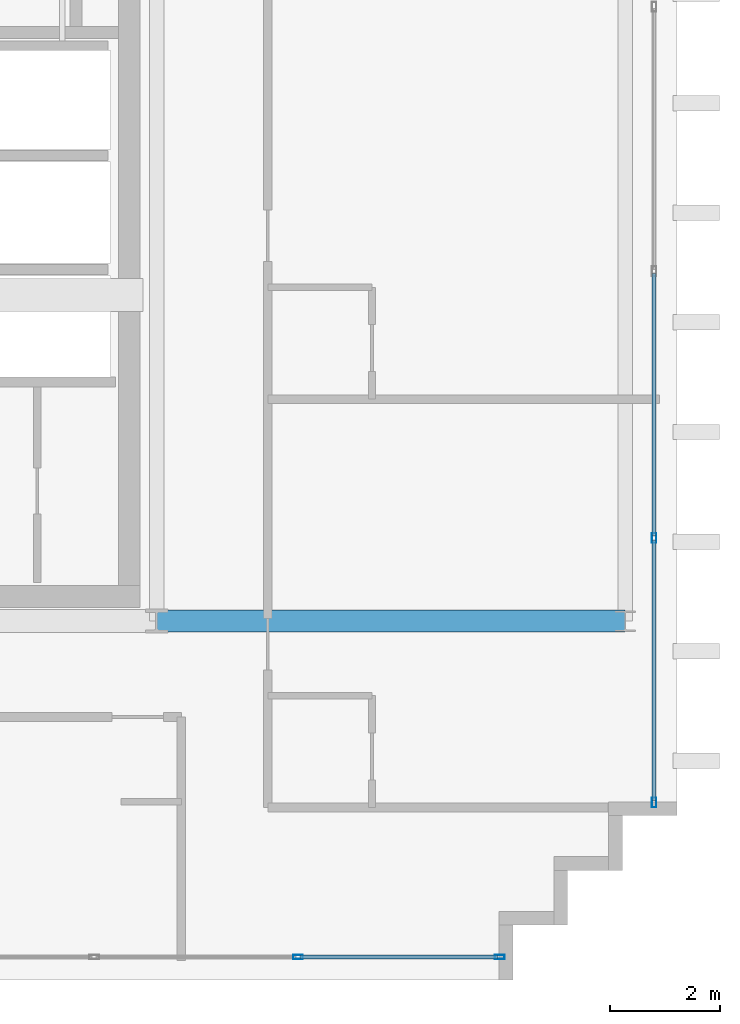
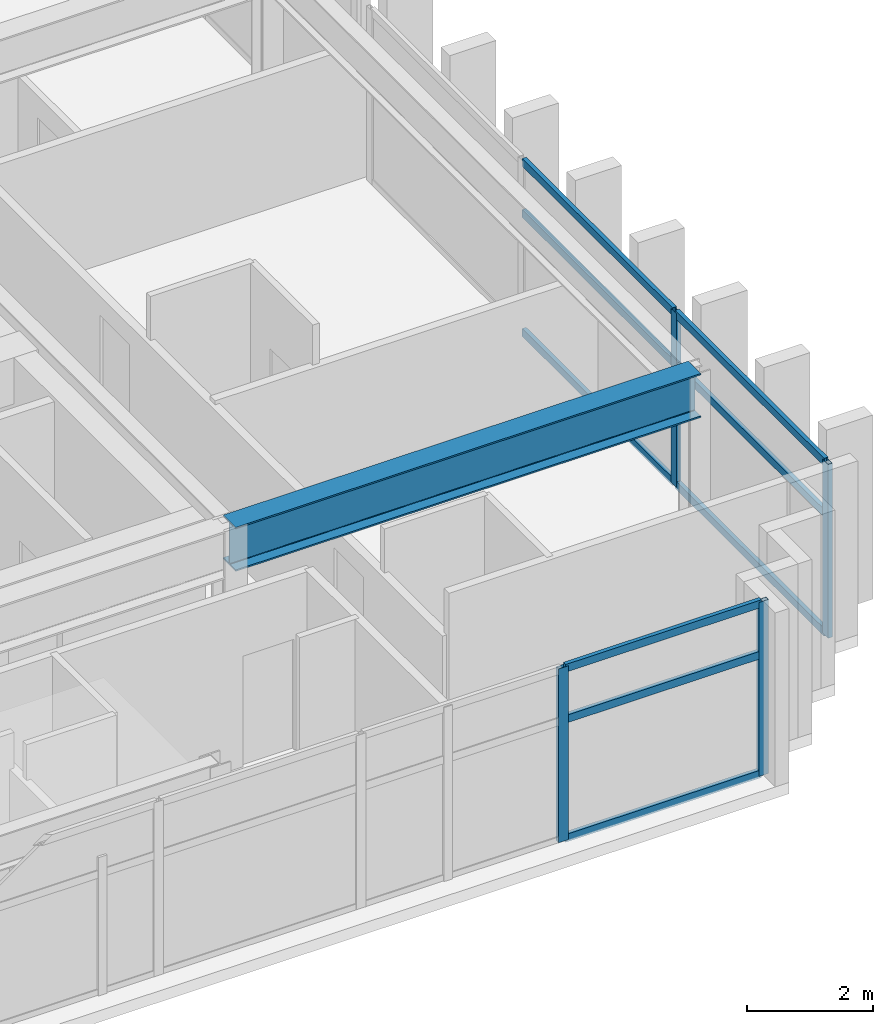
# One storey, part 4 of 15: 13 members, 1 beam, 2 elements without a shape of their own.
"""IFC4 building model written with IfcOpenShell, lengths in metres."""

from ifc_helpers import new_model, si_unit, direction, frame, origin, origin_2d, place, context, subcontext, project, spatial, hollow_rectangle, i_section, extrude, source, transform, mapped, material, layer, layer_set, material_profile, profile_set, type_object, element, aggregate, save


model = new_model("IFC4")

# Units and contexts
model_context = context("Model", 3, precision=1e-05, world=origin(), true_north=direction((0.0, 1.0)))
body_context = subcontext(model_context, "Body", "Model", "MODEL_VIEW")
ifc_project = project(units=[si_unit("LENGTHUNIT", "METRE"), si_unit("AREAUNIT", "SQUARE_METRE"), si_unit("VOLUMEUNIT", "CUBIC_METRE"), si_unit("PLANEANGLEUNIT", "RADIAN"), si_unit("MASSUNIT", "GRAM", prefix="KILO")], contexts=[model_context])

# Site, building, storey
site_placement = place(None, origin())
site = spatial("IfcSite", under=ifc_project, at=site_placement, CompositionType="ELEMENT")
building_placement = place(site_placement, origin())
building = spatial("IfcBuilding", under=site, at=building_placement, Name="Ocotamira Hotel", CompositionType="ELEMENT")
storey_placement = place(building_placement, frame((0.0, 0.0, 286.800048828125)))
storey = spatial("IfcBuildingStorey", under=building, at=storey_placement, Name="L73", CompositionType="ELEMENT", Elevation=286.800048828125)

# Beam
ifc_material_1 = material(Name="Steel ASTM A992 Grade 50", Category="steel")
ifc_material_profile_1 = material_profile(ifc_material_1, i_section(OverallWidth=0.39990234375, OverallDepth=0.85595703125, WebThickness=0.018310546875, FlangeThickness=0.029296875, FilletRadius=0.02001953125, at=origin_2d()), Name="W33X201")
ifc_profile_set_1 = profile_set([ifc_material_profile_1], Name="Steel ASTM A992 Grade 50")
beam_type = type_object("IfcBeamType", Name="BM-GIRD-W33X201", PredefinedType="BEAM", material=ifc_profile_set_1)
shared_shape_1 = source(origin(), body_context, "Body", "SweptSolid", [
    extrude(i_section(OverallWidth=0.39990234375, OverallDepth=0.85595703125, WebThickness=0.018310546875, FlangeThickness=0.029296875, FilletRadius=0.02001953125, at=origin_2d()), origin(), (0.0, 0.0, 1.0), 8.550048828125),
])
beam_placement = place(storey_placement, frame((23.5, 14.550048828125, 2.951904296875), z_axis=(1.0, 0.0, 0.0), x_axis=(0.0, 1.0, 0.0)))
element("IfcBeam", 1, at=beam_placement, inside=storey, type_object=beam_type, Name="L73 Girder Y14.55 X23.5-32.05", PredefinedType="BEAM", context=body_context, shape_type="MappedRepresentation", body=[
    mapped(shared_shape_1, transform((0.0, 0.0, 0.0), scale=1.0)),
])

# Curtain wall, members
ifc_material_2 = material(Name="Anodised pale-metal aluminium and solar glass", Category="aluminium")
ifc_layer = layer(ifc_material_2, 0.2099609375)
ifc_layer_set = layer_set([ifc_layer], Name="Anodised pale-metal aluminium and solar glass")
curtain_wall_type = type_object("IfcCurtainWallType", Name="CW-SYS7-PEAK", PredefinedType="NOTDEFINED", material=ifc_layer_set)
curtain_wall_1_placement = place(storey_placement, origin())
curtain_wall_1 = element("IfcCurtainWall", 2, at=curtain_wall_1_placement, inside=storey, type_object=curtain_wall_type, Name="L73 Curtain Wall CW-7 CW-L73-S1", PredefinedType="NOTDEFINED")
ifc_material_3 = material(Name="Anodised pale-metal aluminium 6063-T6", Category="aluminium")
ifc_material_profile_2 = material_profile(ifc_material_3, hollow_rectangle(XDim=0.080078125, YDim=0.179931640625, WallThickness=0.006103515625, at=origin_2d()), Name="HSS180X80X6")
ifc_profile_set_2 = profile_set([ifc_material_profile_2], Name="Anodised pale-metal aluminium 6063-T6")
member_type_1 = type_object("IfcMemberType", Name="CWM-180X75", PredefinedType="MULLION", material=ifc_profile_set_2)
shared_shape_2 = source(origin(), body_context, "Body", "SweptSolid", [
    extrude(hollow_rectangle(XDim=0.080078125, YDim=0.179931640625, WallThickness=0.006103515625, at=origin_2d()), origin(), (0.0, 0.0, 1.0), 3.3798828125),
])
member_1_placement = place(storey_placement, frame((26.080078125, 8.419921875, 0.0), z_axis=(0.0, 0.0, 1.0), x_axis=(0.0, 1.0, 0.0)))
member_1 = element("IfcMember", 3, at=member_1_placement, type_object=member_type_1, Name="CW-7 mullion 5", PredefinedType="MULLION", context=body_context, shape_type="MappedRepresentation", body=[
    mapped(shared_shape_2, transform((0.0, 0.0, 0.0), scale=1.0)),
])
member_2_placement = place(storey_placement, frame((29.760009765625, 8.419921875, 0.0), z_axis=(0.0, 0.0, 1.0), x_axis=(0.0, 1.0, 0.0)))
member_2 = element("IfcMember", 4, at=member_2_placement, type_object=member_type_1, Name="CW-7 mullion 6", PredefinedType="MULLION", context=body_context, shape_type="MappedRepresentation", body=[
    mapped(shared_shape_2, transform((0.0, 0.0, 0.0), scale=1.0)),
])

curtain_wall_2_placement = place(storey_placement, origin())
curtain_wall_2 = element("IfcCurtainWall", 5, at=curtain_wall_2_placement, inside=storey, type_object=curtain_wall_type, Name="L73 Curtain Wall CW-7 CW-L73-E1", PredefinedType="NOTDEFINED")
member_3_placement = place(storey_placement, frame((32.580078125, 11.239990234375, 0.0), z_axis=(0.0, 0.0, 1.0), x_axis=(-1.0, 0.0, 0.0)))
member_3 = element("IfcMember", 6, at=member_3_placement, type_object=member_type_1, Name="CW-7 mullion 1", PredefinedType="MULLION", context=body_context, shape_type="MappedRepresentation", body=[
    mapped(shared_shape_2, transform((0.0, 0.0, 0.0), scale=1.0)),
])
member_4_placement = place(storey_placement, frame((32.580078125, 16.066650390625, 0.0), z_axis=(0.0, 0.0, 1.0), x_axis=(-1.0, 0.0, 0.0)))
member_4 = element("IfcMember", 7, at=member_4_placement, type_object=member_type_1, Name="CW-7 mullion 2", PredefinedType="MULLION", context=body_context, shape_type="MappedRepresentation", body=[
    mapped(shared_shape_2, transform((0.0, 0.0, 0.0), scale=1.0)),
])

# Member
ifc_material_profile_3 = material_profile(ifc_material_3, hollow_rectangle(XDim=0.074951171875, YDim=0.14990234375, WallThickness=0.006103515625, at=origin_2d()), Name="HSS150X75X6")
ifc_profile_set_3 = profile_set([ifc_material_profile_3], Name="Anodised pale-metal aluminium 6063-T6")
member_type_2 = type_object("IfcMemberType", Name="CWT-150X75", PredefinedType="USERDEFINED", material=ifc_profile_set_3)
shared_shape_3 = source(origin(), body_context, "Body", "SweptSolid", [
    extrude(hollow_rectangle(XDim=0.074951171875, YDim=0.14990234375, WallThickness=0.006103515625, at=origin_2d()), origin(), (0.0, 0.0, 1.0), 3.599853515625),
])
member_5_placement = place(storey_placement, frame((26.1201171875, 8.419921875, 0.037353515625), z_axis=(1.0, 0.0, 0.0), x_axis=(0.0, 1.0, 0.0)))
member_5 = element("IfcMember", 8, at=member_5_placement, type_object=member_type_2, Name="CW-7 transom 5.1", ObjectType="TRANSOM", PredefinedType="USERDEFINED", context=body_context, shape_type="MappedRepresentation", body=[
    mapped(shared_shape_3, transform((0.0, 0.0, 0.0), scale=1.0)),
])

member_6_placement = place(storey_placement, frame((26.1201171875, 8.419921875, 2.349853515625), z_axis=(1.0, 0.0, 0.0), x_axis=(0.0, 1.0, 0.0)))
member_6 = element("IfcMember", 9, at=member_6_placement, type_object=member_type_2, Name="CW-7 transom 5.2", ObjectType="TRANSOM", PredefinedType="USERDEFINED", context=body_context, shape_type="MappedRepresentation", body=[
    mapped(shared_shape_3, transform((0.0, 0.0, 0.0), scale=1.0)),
])

member_7_placement = place(storey_placement, frame((26.1201171875, 8.419921875, 3.342529296875), z_axis=(1.0, 0.0, 0.0), x_axis=(0.0, 1.0, 0.0)))
member_7 = element("IfcMember", 10, at=member_7_placement, type_object=member_type_2, Name="CW-7 transom 5.3", ObjectType="TRANSOM", PredefinedType="USERDEFINED", context=body_context, shape_type="MappedRepresentation", body=[
    mapped(shared_shape_3, transform((0.0, 0.0, 0.0), scale=1.0)),
])

aggregate(curtain_wall_1, [member_1, member_2, member_5, member_6, member_7])

shared_shape_4 = source(origin(), body_context, "Body", "SweptSolid", [
    extrude(hollow_rectangle(XDim=0.074951171875, YDim=0.14990234375, WallThickness=0.006103515625, at=origin_2d()), origin(), (0.0, 0.0, 1.0), 4.74658203125),
])
member_8_placement = place(storey_placement, frame((32.580078125, 11.280029296875, 0.037353515625), z_axis=(0.0, 1.0, 0.0), x_axis=(-1.0, 0.0, 0.0)))
member_8 = element("IfcMember", 11, at=member_8_placement, type_object=member_type_2, Name="CW-7 transom 1.1", ObjectType="TRANSOM", PredefinedType="USERDEFINED", context=body_context, shape_type="MappedRepresentation", body=[
    mapped(shared_shape_4, transform((0.0, 0.0, 0.0), scale=1.0)),
])

member_9_placement = place(storey_placement, frame((32.580078125, 11.280029296875, 2.349853515625), z_axis=(0.0, 1.0, 0.0), x_axis=(-1.0, 0.0, 0.0)))
member_9 = element("IfcMember", 12, at=member_9_placement, type_object=member_type_2, Name="CW-7 transom 1.2", ObjectType="TRANSOM", PredefinedType="USERDEFINED", context=body_context, shape_type="MappedRepresentation", body=[
    mapped(shared_shape_4, transform((0.0, 0.0, 0.0), scale=1.0)),
])

member_10_placement = place(storey_placement, frame((32.580078125, 11.280029296875, 3.342529296875), z_axis=(0.0, 1.0, 0.0), x_axis=(-1.0, 0.0, 0.0)))
member_10 = element("IfcMember", 13, at=member_10_placement, type_object=member_type_2, Name="CW-7 transom 1.3", ObjectType="TRANSOM", PredefinedType="USERDEFINED", context=body_context, shape_type="MappedRepresentation", body=[
    mapped(shared_shape_4, transform((0.0, 0.0, 0.0), scale=1.0)),
])

shared_shape_5 = source(origin(), body_context, "Body", "SweptSolid", [
    extrude(hollow_rectangle(XDim=0.074951171875, YDim=0.14990234375, WallThickness=0.006103515625, at=origin_2d()), origin(), (0.0, 0.0, 1.0), 4.78662109375),
])
member_11_placement = place(storey_placement, frame((32.580078125, 16.106689453125, 0.037353515625), z_axis=(0.0, 1.0, 0.0), x_axis=(-1.0, 0.0, 0.0)))
member_11 = element("IfcMember", 14, at=member_11_placement, type_object=member_type_2, Name="CW-7 transom 2.1", ObjectType="TRANSOM", PredefinedType="USERDEFINED", context=body_context, shape_type="MappedRepresentation", body=[
    mapped(shared_shape_5, transform((0.0, 0.0, 0.0), scale=1.0)),
])

member_12_placement = place(storey_placement, frame((32.580078125, 16.106689453125, 2.349853515625), z_axis=(0.0, 1.0, 0.0), x_axis=(-1.0, 0.0, 0.0)))
member_12 = element("IfcMember", 15, at=member_12_placement, type_object=member_type_2, Name="CW-7 transom 2.2", ObjectType="TRANSOM", PredefinedType="USERDEFINED", context=body_context, shape_type="MappedRepresentation", body=[
    mapped(shared_shape_5, transform((0.0, 0.0, 0.0), scale=1.0)),
])

member_13_placement = place(storey_placement, frame((32.580078125, 16.106689453125, 3.342529296875), z_axis=(0.0, 1.0, 0.0), x_axis=(-1.0, 0.0, 0.0)))
member_13 = element("IfcMember", 16, at=member_13_placement, type_object=member_type_2, Name="CW-7 transom 2.3", ObjectType="TRANSOM", PredefinedType="USERDEFINED", context=body_context, shape_type="MappedRepresentation", body=[
    mapped(shared_shape_5, transform((0.0, 0.0, 0.0), scale=1.0)),
])

aggregate(curtain_wall_2, [member_3, member_4, member_8, member_9, member_10, member_11, member_12, member_13])

save(model, "model.ifc")
